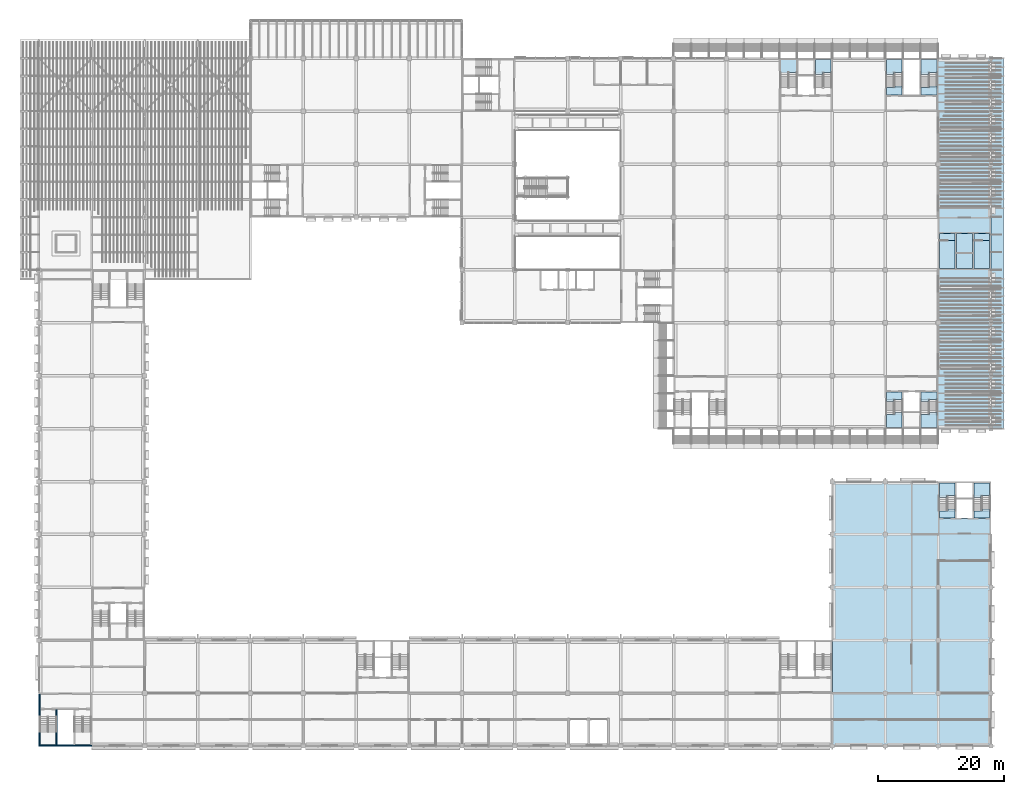
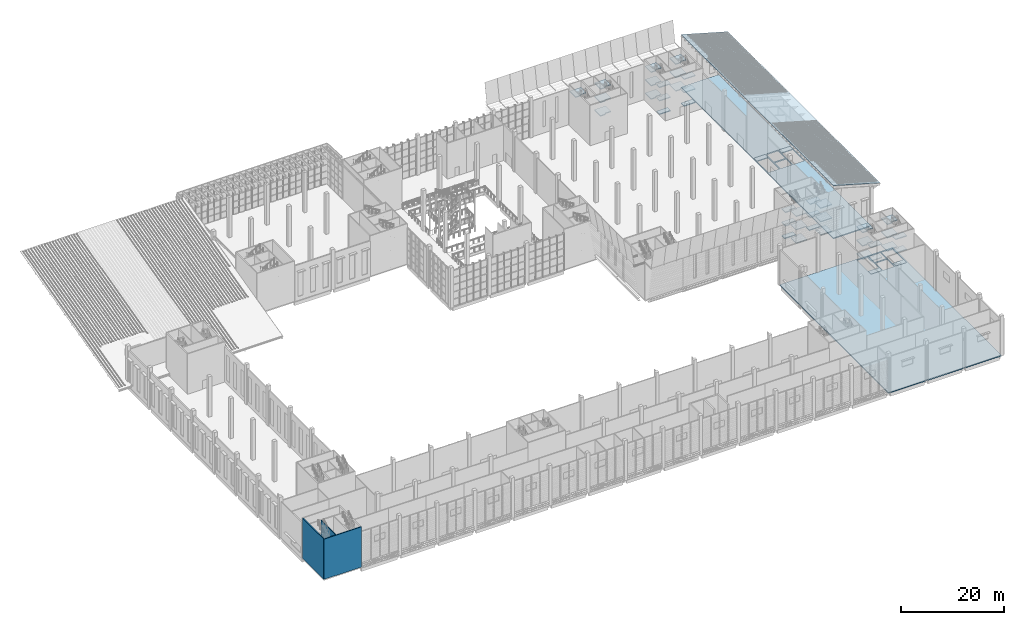
# One storey, part 39 of 114: 45 slabs, 3 walls, 8 elements without a shape of their own.
"""IFC4 building model written with IfcOpenShell, lengths in metres."""

from ifc_helpers import new_model, si_unit, direction, frame, frame_2d, origin, place, context, subcontext, project, spatial, polyline, rectangle, outline, extrude, material, layer, layer_set, type_object, element, aggregate, save


model = new_model("IFC4")

# Units and contexts
model_context = context("Model", 3, precision=1e-05, world=origin(), true_north=direction((0.0, 1.0)))
body_context = subcontext(model_context, "Body", "Model", "MODEL_VIEW")
ifc_project = project(units=[si_unit("LENGTHUNIT", "METRE"), si_unit("AREAUNIT", "SQUARE_METRE"), si_unit("VOLUMEUNIT", "CUBIC_METRE"), si_unit("PLANEANGLEUNIT", "RADIAN"), si_unit("MASSUNIT", "GRAM", prefix="KILO")], contexts=[model_context])

# Site, building, storey
site_placement = place(None, origin())
site = spatial("IfcSite", under=ifc_project, at=site_placement, CompositionType="ELEMENT")
building_placement = place(site_placement, origin())
building = spatial("IfcBuilding", under=site, at=building_placement, Name="Almond Square Museum", CompositionType="ELEMENT")
storey_placement = place(building_placement, frame((0.0, 0.0, 10.5)))
storey = spatial("IfcBuildingStorey", under=building, at=storey_placement, Name="L02", CompositionType="ELEMENT", Elevation=10.5)

# Stair, slabs
ifc_material_1 = material(Name="Concrete C40/50", Category="concrete")
stair_type = type_object("IfcStairType", Name="Exit stair 54 risers of 176 mm", PredefinedType="HALF_TURN_STAIR", material=ifc_material_1)
stair_1_placement = place(storey_placement, origin())
stair_1 = element("IfcStair", 1, at=stair_1_placement, inside=storey, type_object=stair_type, Name="L02 stair H2-1", PredefinedType="HALF_TURN_STAIR")
ifc_material_2 = material(Name="Concrete C40/50", Category="concrete")
ifc_layer_1 = layer(ifc_material_2, 0.199951171875)
ifc_layer_set_1 = layer_set([ifc_layer_1], Name="Concrete C40/50")
slab_type_1 = type_object("IfcSlabType", Name="Concrete stair landing 200", PredefinedType="LANDING", material=ifc_layer_set_1)
slab_1_placement = place(storey_placement, frame((0.0, 0.0, 1.38330078125)))
slab_1 = element("IfcSlab", 2, at=slab_1_placement, type_object=slab_type_1, Name="ST-03 landing 1", PredefinedType="LANDING", context=body_context, shape_type="SweptSolid", body=[
    extrude(outline(polyline([(140.60009765625, 52.653076171875), (140.60009765625, 50.60009765625), (143.10009765625, 50.60009765625), (143.10009765625, 52.949951171875), (141.949951171875, 52.949951171875), (141.949951171875, 52.653076171875), (140.60009765625, 52.653076171875)])), origin(), (0.0, 0.0, 1.0), 0.199951171875),
])
slab_2_placement = place(storey_placement, frame((0.0, 0.0, 2.966552734375)))
slab_2 = element("IfcSlab", 3, at=slab_2_placement, type_object=slab_type_1, Name="ST-03 landing 2", PredefinedType="LANDING", context=body_context, shape_type="SweptSolid", body=[
    extrude(outline(polyline([(140.60009765625, 56.199951171875), (140.60009765625, 55.050048828125), (140.60009765625, 54.75), (141.75, 54.75), (141.75, 55.047119140625), (143.10009765625, 55.047119140625), (143.10009765625, 56.199951171875), (140.60009765625, 56.199951171875)])), origin(), (0.0, 0.0, 1.0), 0.2001953125),
])
slab_3_placement = place(storey_placement, frame((0.0, 0.0, 4.550048828125)))
slab_3 = element("IfcSlab", 4, at=slab_3_placement, type_object=slab_type_1, Name="ST-03 landing 3", PredefinedType="LANDING", context=body_context, shape_type="SweptSolid", body=[
    extrude(outline(polyline([(140.60009765625, 52.653076171875), (140.60009765625, 50.60009765625), (143.10009765625, 50.60009765625), (143.10009765625, 52.949951171875), (141.949951171875, 52.949951171875), (141.949951171875, 52.653076171875), (140.60009765625, 52.653076171875)])), origin(), (0.0, 0.0, 1.0), 0.199951171875),
])
slab_4_placement = place(storey_placement, frame((0.0, 0.0, 6.13330078125)))
slab_4 = element("IfcSlab", 5, at=slab_4_placement, type_object=slab_type_1, Name="ST-03 landing 4", PredefinedType="LANDING", context=body_context, shape_type="SweptSolid", body=[
    extrude(outline(polyline([(140.60009765625, 56.199951171875), (140.60009765625, 55.050048828125), (140.60009765625, 54.75), (141.75, 54.75), (141.75, 55.047119140625), (143.10009765625, 55.047119140625), (143.10009765625, 56.199951171875), (140.60009765625, 56.199951171875)])), origin(), (0.0, 0.0, 1.0), 0.199951171875),
])
slab_5_placement = place(storey_placement, frame((0.0, 0.0, 7.716552734375)))
slab_5 = element("IfcSlab", 6, at=slab_5_placement, type_object=slab_type_1, Name="ST-03 landing 5", PredefinedType="LANDING", context=body_context, shape_type="SweptSolid", body=[
    extrude(outline(polyline([(140.60009765625, 52.653076171875), (140.60009765625, 50.60009765625), (143.10009765625, 50.60009765625), (143.10009765625, 52.949951171875), (141.949951171875, 52.949951171875), (141.949951171875, 52.653076171875), (140.60009765625, 52.653076171875)])), origin(), (0.0, 0.0, 1.0), 0.2001953125),
])
aggregate(stair_1, [slab_1, slab_2, slab_3, slab_4, slab_5])

stair_2_placement = place(storey_placement, origin())
stair_2 = element("IfcStair", 7, at=stair_2_placement, inside=storey, type_object=stair_type, Name="L02 stair H2-2", PredefinedType="HALF_TURN_STAIR")
slab_6_placement = place(storey_placement, frame((0.0, 0.0, 1.38330078125)))
slab_6 = element("IfcSlab", 8, at=slab_6_placement, type_object=slab_type_1, Name="ST-04 landing 1", PredefinedType="LANDING", context=body_context, shape_type="SweptSolid", body=[
    extrude(outline(polyline([(146.10009765625, 52.653076171875), (146.10009765625, 50.60009765625), (148.60009765625, 50.60009765625), (148.60009765625, 52.949951171875), (147.449951171875, 52.949951171875), (147.449951171875, 52.653076171875), (146.10009765625, 52.653076171875)])), origin(), (0.0, 0.0, 1.0), 0.199951171875),
])
slab_7_placement = place(storey_placement, frame((0.0, 0.0, 2.966552734375)))
slab_7 = element("IfcSlab", 9, at=slab_7_placement, type_object=slab_type_1, Name="ST-04 landing 2", PredefinedType="LANDING", context=body_context, shape_type="SweptSolid", body=[
    extrude(outline(polyline([(146.10009765625, 56.199951171875), (146.10009765625, 55.050048828125), (146.10009765625, 54.75), (147.25, 54.75), (147.25, 55.047119140625), (148.60009765625, 55.047119140625), (148.60009765625, 56.199951171875), (146.10009765625, 56.199951171875)])), origin(), (0.0, 0.0, 1.0), 0.2001953125),
])
slab_8_placement = place(storey_placement, frame((0.0, 0.0, 4.550048828125)))
slab_8 = element("IfcSlab", 10, at=slab_8_placement, type_object=slab_type_1, Name="ST-04 landing 3", PredefinedType="LANDING", context=body_context, shape_type="SweptSolid", body=[
    extrude(outline(polyline([(146.10009765625, 52.653076171875), (146.10009765625, 50.60009765625), (148.60009765625, 50.60009765625), (148.60009765625, 52.949951171875), (147.449951171875, 52.949951171875), (147.449951171875, 52.653076171875), (146.10009765625, 52.653076171875)])), origin(), (0.0, 0.0, 1.0), 0.199951171875),
])
slab_9_placement = place(storey_placement, frame((0.0, 0.0, 6.13330078125)))
slab_9 = element("IfcSlab", 11, at=slab_9_placement, type_object=slab_type_1, Name="ST-04 landing 4", PredefinedType="LANDING", context=body_context, shape_type="SweptSolid", body=[
    extrude(outline(polyline([(146.10009765625, 56.199951171875), (146.10009765625, 55.050048828125), (146.10009765625, 54.75), (147.25, 54.75), (147.25, 55.047119140625), (148.60009765625, 55.047119140625), (148.60009765625, 56.199951171875), (146.10009765625, 56.199951171875)])), origin(), (0.0, 0.0, 1.0), 0.199951171875),
])
slab_10_placement = place(storey_placement, frame((0.0, 0.0, 7.716552734375)))
slab_10 = element("IfcSlab", 12, at=slab_10_placement, type_object=slab_type_1, Name="ST-04 landing 5", PredefinedType="LANDING", context=body_context, shape_type="SweptSolid", body=[
    extrude(outline(polyline([(146.10009765625, 52.653076171875), (146.10009765625, 50.60009765625), (148.60009765625, 50.60009765625), (148.60009765625, 52.949951171875), (147.449951171875, 52.949951171875), (147.449951171875, 52.653076171875), (146.10009765625, 52.653076171875)])), origin(), (0.0, 0.0, 1.0), 0.2001953125),
])
aggregate(stair_2, [slab_6, slab_7, slab_8, slab_9, slab_10])

stair_3_placement = place(storey_placement, origin())
stair_3 = element("IfcStair", 13, at=stair_3_placement, inside=storey, type_object=stair_type, Name="L02 stair H3-1", PredefinedType="HALF_TURN_STAIR")
slab_11_placement = place(storey_placement, frame((0.0, 0.0, 1.38330078125)))
slab_11 = element("IfcSlab", 14, at=slab_11_placement, type_object=slab_type_1, Name="ST-05 landing 1", PredefinedType="LANDING", context=body_context, shape_type="SweptSolid", body=[
    extrude(outline(polyline([(143.10009765625, 106.947021484375), (143.10009765625, 109.0), (140.60009765625, 109.0), (140.60009765625, 106.64990234375), (141.75, 106.64990234375), (141.75, 106.947021484375), (143.10009765625, 106.947021484375)])), origin(), (0.0, 0.0, 1.0), 0.199951171875),
])
slab_12_placement = place(storey_placement, frame((0.0, 0.0, 2.966552734375)))
slab_12 = element("IfcSlab", 15, at=slab_12_placement, type_object=slab_type_1, Name="ST-05 landing 2", PredefinedType="LANDING", context=body_context, shape_type="SweptSolid", body=[
    extrude(outline(polyline([(143.10009765625, 103.39990234375), (143.10009765625, 104.550048828125), (143.10009765625, 104.85009765625), (141.949951171875, 104.85009765625), (141.949951171875, 104.552978515625), (140.60009765625, 104.552978515625), (140.60009765625, 103.39990234375), (143.10009765625, 103.39990234375)])), origin(), (0.0, 0.0, 1.0), 0.2001953125),
])
slab_13_placement = place(storey_placement, frame((0.0, 0.0, 4.550048828125)))
slab_13 = element("IfcSlab", 16, at=slab_13_placement, type_object=slab_type_1, Name="ST-05 landing 3", PredefinedType="LANDING", context=body_context, shape_type="SweptSolid", body=[
    extrude(outline(polyline([(143.10009765625, 106.947021484375), (143.10009765625, 109.0), (140.60009765625, 109.0), (140.60009765625, 106.64990234375), (141.75, 106.64990234375), (141.75, 106.947021484375), (143.10009765625, 106.947021484375)])), origin(), (0.0, 0.0, 1.0), 0.199951171875),
])
slab_14_placement = place(storey_placement, frame((0.0, 0.0, 6.13330078125)))
slab_14 = element("IfcSlab", 17, at=slab_14_placement, type_object=slab_type_1, Name="ST-05 landing 4", PredefinedType="LANDING", context=body_context, shape_type="SweptSolid", body=[
    extrude(outline(polyline([(143.10009765625, 103.39990234375), (143.10009765625, 104.550048828125), (143.10009765625, 104.85009765625), (141.949951171875, 104.85009765625), (141.949951171875, 104.552978515625), (140.60009765625, 104.552978515625), (140.60009765625, 103.39990234375), (143.10009765625, 103.39990234375)])), origin(), (0.0, 0.0, 1.0), 0.199951171875),
])
slab_15_placement = place(storey_placement, frame((0.0, 0.0, 7.716552734375)))
slab_15 = element("IfcSlab", 18, at=slab_15_placement, type_object=slab_type_1, Name="ST-05 landing 5", PredefinedType="LANDING", context=body_context, shape_type="SweptSolid", body=[
    extrude(outline(polyline([(143.10009765625, 106.947021484375), (143.10009765625, 109.0), (140.60009765625, 109.0), (140.60009765625, 106.64990234375), (141.75, 106.64990234375), (141.75, 106.947021484375), (143.10009765625, 106.947021484375)])), origin(), (0.0, 0.0, 1.0), 0.2001953125),
])
aggregate(stair_3, [slab_11, slab_12, slab_13, slab_14, slab_15])

stair_4_placement = place(storey_placement, origin())
stair_4 = element("IfcStair", 19, at=stair_4_placement, inside=storey, type_object=stair_type, Name="L02 stair H3-2", PredefinedType="HALF_TURN_STAIR")
slab_16_placement = place(storey_placement, frame((0.0, 0.0, 1.38330078125)))
slab_16 = element("IfcSlab", 20, at=slab_16_placement, type_object=slab_type_1, Name="ST-06 landing 1", PredefinedType="LANDING", context=body_context, shape_type="SweptSolid", body=[
    extrude(outline(polyline([(148.60009765625, 106.947021484375), (148.60009765625, 109.0), (146.10009765625, 109.0), (146.10009765625, 106.64990234375), (147.25, 106.64990234375), (147.25, 106.947021484375), (148.60009765625, 106.947021484375)])), origin(), (0.0, 0.0, 1.0), 0.199951171875),
])
slab_17_placement = place(storey_placement, frame((0.0, 0.0, 2.966552734375)))
slab_17 = element("IfcSlab", 21, at=slab_17_placement, type_object=slab_type_1, Name="ST-06 landing 2", PredefinedType="LANDING", context=body_context, shape_type="SweptSolid", body=[
    extrude(outline(polyline([(148.60009765625, 103.39990234375), (148.60009765625, 104.550048828125), (148.60009765625, 104.85009765625), (147.449951171875, 104.85009765625), (147.449951171875, 104.552978515625), (146.10009765625, 104.552978515625), (146.10009765625, 103.39990234375), (148.60009765625, 103.39990234375)])), origin(), (0.0, 0.0, 1.0), 0.2001953125),
])
slab_18_placement = place(storey_placement, frame((0.0, 0.0, 4.550048828125)))
slab_18 = element("IfcSlab", 22, at=slab_18_placement, type_object=slab_type_1, Name="ST-06 landing 3", PredefinedType="LANDING", context=body_context, shape_type="SweptSolid", body=[
    extrude(outline(polyline([(148.60009765625, 106.947021484375), (148.60009765625, 109.0), (146.10009765625, 109.0), (146.10009765625, 106.64990234375), (147.25, 106.64990234375), (147.25, 106.947021484375), (148.60009765625, 106.947021484375)])), origin(), (0.0, 0.0, 1.0), 0.199951171875),
])
slab_19_placement = place(storey_placement, frame((0.0, 0.0, 6.13330078125)))
slab_19 = element("IfcSlab", 23, at=slab_19_placement, type_object=slab_type_1, Name="ST-06 landing 4", PredefinedType="LANDING", context=body_context, shape_type="SweptSolid", body=[
    extrude(outline(polyline([(148.60009765625, 103.39990234375), (148.60009765625, 104.550048828125), (148.60009765625, 104.85009765625), (147.449951171875, 104.85009765625), (147.449951171875, 104.552978515625), (146.10009765625, 104.552978515625), (146.10009765625, 103.39990234375), (148.60009765625, 103.39990234375)])), origin(), (0.0, 0.0, 1.0), 0.199951171875),
])
slab_20_placement = place(storey_placement, frame((0.0, 0.0, 7.716552734375)))
slab_20 = element("IfcSlab", 24, at=slab_20_placement, type_object=slab_type_1, Name="ST-06 landing 5", PredefinedType="LANDING", context=body_context, shape_type="SweptSolid", body=[
    extrude(outline(polyline([(148.60009765625, 106.947021484375), (148.60009765625, 109.0), (146.10009765625, 109.0), (146.10009765625, 106.64990234375), (147.25, 106.64990234375), (147.25, 106.947021484375), (148.60009765625, 106.947021484375)])), origin(), (0.0, 0.0, 1.0), 0.2001953125),
])
aggregate(stair_4, [slab_16, slab_17, slab_18, slab_19, slab_20])

# Stair, slab
stair_5_placement = place(storey_placement, origin())
stair_5 = element("IfcStair", 25, at=stair_5_placement, inside=storey, type_object=stair_type, Name="L02 stair H4-1", PredefinedType="HALF_TURN_STAIR")
slab_21_placement = place(storey_placement, frame((0.0, 0.0, 7.716552734375)))
slab_21 = element("IfcSlab", 26, at=slab_21_placement, type_object=slab_type_1, Name="ST-07 landing 5", PredefinedType="LANDING", context=body_context, shape_type="SweptSolid", body=[
    extrude(outline(polyline([(126.300048828125, 106.947021484375), (126.300048828125, 109.0), (123.800048828125, 109.0), (123.800048828125, 106.64990234375), (124.949951171875, 106.64990234375), (124.949951171875, 106.947021484375), (126.300048828125, 106.947021484375)])), origin(), (0.0, 0.0, 1.0), 0.2001953125),
])
aggregate(stair_5, [slab_21])

# Stair, slabs
stair_6_placement = place(storey_placement, origin())
stair_6 = element("IfcStair", 27, at=stair_6_placement, inside=storey, type_object=stair_type, Name="L02 stair H4-2", PredefinedType="HALF_TURN_STAIR")
slab_22_placement = place(storey_placement, frame((0.0, 0.0, 1.38330078125)))
slab_22 = element("IfcSlab", 28, at=slab_22_placement, type_object=slab_type_1, Name="ST-08 landing 1", PredefinedType="LANDING", context=body_context, shape_type="SweptSolid", body=[
    extrude(outline(polyline([(131.800048828125, 106.947021484375), (131.800048828125, 109.0), (129.300048828125, 109.0), (129.300048828125, 106.64990234375), (130.449951171875, 106.64990234375), (130.449951171875, 106.947021484375), (131.800048828125, 106.947021484375)])), origin(), (0.0, 0.0, 1.0), 0.199951171875),
])
slab_23_placement = place(storey_placement, frame((0.0, 0.0, 4.550048828125)))
slab_23 = element("IfcSlab", 29, at=slab_23_placement, type_object=slab_type_1, Name="ST-08 landing 3", PredefinedType="LANDING", context=body_context, shape_type="SweptSolid", body=[
    extrude(outline(polyline([(131.800048828125, 106.947021484375), (131.800048828125, 109.0), (129.300048828125, 109.0), (129.300048828125, 106.64990234375), (130.449951171875, 106.64990234375), (130.449951171875, 106.947021484375), (131.800048828125, 106.947021484375)])), origin(), (0.0, 0.0, 1.0), 0.199951171875),
])
slab_24_placement = place(storey_placement, frame((0.0, 0.0, 7.716552734375)))
slab_24 = element("IfcSlab", 30, at=slab_24_placement, type_object=slab_type_1, Name="ST-08 landing 5", PredefinedType="LANDING", context=body_context, shape_type="SweptSolid", body=[
    extrude(outline(polyline([(131.800048828125, 106.947021484375), (131.800048828125, 109.0), (129.300048828125, 109.0), (129.300048828125, 106.64990234375), (130.449951171875, 106.64990234375), (130.449951171875, 106.947021484375), (131.800048828125, 106.947021484375)])), origin(), (0.0, 0.0, 1.0), 0.2001953125),
])
aggregate(stair_6, [slab_22, slab_23, slab_24])

stair_7_placement = place(storey_placement, origin())
stair_7 = element("IfcStair", 31, at=stair_7_placement, inside=storey, type_object=stair_type, Name="L02 stair X1-1", PredefinedType="HALF_TURN_STAIR")
slab_25_placement = place(storey_placement, frame((0.0, 0.0, 1.38330078125)))
slab_25 = element("IfcSlab", 32, at=slab_25_placement, type_object=slab_type_1, Name="ST-33 landing 1", PredefinedType="LANDING", context=body_context, shape_type="SweptSolid", body=[
    extrude(outline(polyline([(151.5, 39.7470703125), (151.5, 41.800048828125), (149.0, 41.800048828125), (149.0, 39.449951171875), (150.14990234375, 39.449951171875), (150.14990234375, 39.7470703125), (151.5, 39.7470703125)])), origin(), (0.0, 0.0, 1.0), 0.199951171875),
])
slab_26_placement = place(storey_placement, frame((0.0, 0.0, 2.966552734375)))
slab_26 = element("IfcSlab", 33, at=slab_26_placement, type_object=slab_type_1, Name="ST-33 landing 2", PredefinedType="LANDING", context=body_context, shape_type="SweptSolid", body=[
    extrude(outline(polyline([(151.5, 36.199951171875), (151.5, 37.35009765625), (151.5, 37.64990234375), (150.35009765625, 37.64990234375), (150.35009765625, 37.35302734375), (149.0, 37.35302734375), (149.0, 36.199951171875), (151.5, 36.199951171875)])), origin(), (0.0, 0.0, 1.0), 0.2001953125),
])
slab_27_placement = place(storey_placement, frame((0.0, 0.0, 4.550048828125)))
slab_27 = element("IfcSlab", 34, at=slab_27_placement, type_object=slab_type_1, Name="ST-33 landing 3", PredefinedType="LANDING", context=body_context, shape_type="SweptSolid", body=[
    extrude(outline(polyline([(151.5, 39.7470703125), (151.5, 41.800048828125), (149.0, 41.800048828125), (149.0, 39.449951171875), (150.14990234375, 39.449951171875), (150.14990234375, 39.7470703125), (151.5, 39.7470703125)])), origin(), (0.0, 0.0, 1.0), 0.199951171875),
])
slab_28_placement = place(storey_placement, frame((0.0, 0.0, 6.13330078125)))
slab_28 = element("IfcSlab", 35, at=slab_28_placement, type_object=slab_type_1, Name="ST-33 landing 4", PredefinedType="LANDING", context=body_context, shape_type="SweptSolid", body=[
    extrude(outline(polyline([(151.5, 36.199951171875), (151.5, 37.35009765625), (151.5, 37.64990234375), (150.35009765625, 37.64990234375), (150.35009765625, 37.35302734375), (149.0, 37.35302734375), (149.0, 36.199951171875), (151.5, 36.199951171875)])), origin(), (0.0, 0.0, 1.0), 0.199951171875),
])
slab_29_placement = place(storey_placement, frame((0.0, 0.0, 7.716552734375)))
slab_29 = element("IfcSlab", 36, at=slab_29_placement, type_object=slab_type_1, Name="ST-33 landing 5", PredefinedType="LANDING", context=body_context, shape_type="SweptSolid", body=[
    extrude(outline(polyline([(151.5, 39.7470703125), (151.5, 41.800048828125), (149.0, 41.800048828125), (149.0, 39.449951171875), (150.14990234375, 39.449951171875), (150.14990234375, 39.7470703125), (151.5, 39.7470703125)])), origin(), (0.0, 0.0, 1.0), 0.2001953125),
])
aggregate(stair_7, [slab_25, slab_26, slab_27, slab_28, slab_29])

stair_8_placement = place(storey_placement, origin())
stair_8 = element("IfcStair", 37, at=stair_8_placement, inside=storey, type_object=stair_type, Name="L02 stair X1-2", PredefinedType="HALF_TURN_STAIR")
slab_30_placement = place(storey_placement, frame((0.0, 0.0, 1.38330078125)))
slab_30 = element("IfcSlab", 38, at=slab_30_placement, type_object=slab_type_1, Name="ST-34 landing 1", PredefinedType="LANDING", context=body_context, shape_type="SweptSolid", body=[
    extrude(outline(polyline([(157.0, 39.7470703125), (157.0, 41.800048828125), (154.5, 41.800048828125), (154.5, 39.449951171875), (155.64990234375, 39.449951171875), (155.64990234375, 39.7470703125), (157.0, 39.7470703125)])), origin(), (0.0, 0.0, 1.0), 0.199951171875),
])
slab_31_placement = place(storey_placement, frame((0.0, 0.0, 2.966552734375)))
slab_31 = element("IfcSlab", 39, at=slab_31_placement, type_object=slab_type_1, Name="ST-34 landing 2", PredefinedType="LANDING", context=body_context, shape_type="SweptSolid", body=[
    extrude(outline(polyline([(157.0, 36.199951171875), (157.0, 37.35009765625), (157.0, 37.64990234375), (155.85009765625, 37.64990234375), (155.85009765625, 37.35302734375), (154.5, 37.35302734375), (154.5, 36.199951171875), (157.0, 36.199951171875)])), origin(), (0.0, 0.0, 1.0), 0.2001953125),
])
slab_32_placement = place(storey_placement, frame((0.0, 0.0, 4.550048828125)))
slab_32 = element("IfcSlab", 40, at=slab_32_placement, type_object=slab_type_1, Name="ST-34 landing 3", PredefinedType="LANDING", context=body_context, shape_type="SweptSolid", body=[
    extrude(outline(polyline([(157.0, 39.7470703125), (157.0, 41.800048828125), (154.5, 41.800048828125), (154.5, 39.449951171875), (155.64990234375, 39.449951171875), (155.64990234375, 39.7470703125), (157.0, 39.7470703125)])), origin(), (0.0, 0.0, 1.0), 0.199951171875),
])
slab_33_placement = place(storey_placement, frame((0.0, 0.0, 6.13330078125)))
slab_33 = element("IfcSlab", 41, at=slab_33_placement, type_object=slab_type_1, Name="ST-34 landing 4", PredefinedType="LANDING", context=body_context, shape_type="SweptSolid", body=[
    extrude(outline(polyline([(157.0, 36.199951171875), (157.0, 37.35009765625), (157.0, 37.64990234375), (155.85009765625, 37.64990234375), (155.85009765625, 37.35302734375), (154.5, 37.35302734375), (154.5, 36.199951171875), (157.0, 36.199951171875)])), origin(), (0.0, 0.0, 1.0), 0.199951171875),
])
slab_34_placement = place(storey_placement, frame((0.0, 0.0, 7.716552734375)))
slab_34 = element("IfcSlab", 42, at=slab_34_placement, type_object=slab_type_1, Name="ST-34 landing 5", PredefinedType="LANDING", context=body_context, shape_type="SweptSolid", body=[
    extrude(outline(polyline([(157.0, 39.7470703125), (157.0, 41.800048828125), (154.5, 41.800048828125), (154.5, 39.449951171875), (155.64990234375, 39.449951171875), (155.64990234375, 39.7470703125), (157.0, 39.7470703125)])), origin(), (0.0, 0.0, 1.0), 0.2001953125),
])
aggregate(stair_8, [slab_30, slab_31, slab_32, slab_33, slab_34])

# Slabs
slab_35_placement = place(storey_placement, frame((0.0, 0.0, -0.199951171875)))
element("IfcSlab", 43, at=slab_35_placement, inside=storey, type_object=slab_type_1, Name="L02 stair H2-1 floor landing", PredefinedType="LANDING", context=body_context, shape_type="SweptSolid", body=[
    extrude(outline(polyline([(140.60009765625, 55.047119140625), (143.10009765625, 55.047119140625), (143.10009765625, 56.199951171875), (140.60009765625, 56.199951171875), (140.60009765625, 55.047119140625)])), origin(), (0.0, 0.0, 1.0), 0.199951171875),
])
slab_36_placement = place(storey_placement, frame((0.0, 0.0, -0.199951171875)))
element("IfcSlab", 44, at=slab_36_placement, inside=storey, type_object=slab_type_1, Name="L02 stair H2-2 floor landing", PredefinedType="LANDING", context=body_context, shape_type="SweptSolid", body=[
    extrude(outline(polyline([(146.10009765625, 55.047119140625), (148.60009765625, 55.047119140625), (148.60009765625, 56.199951171875), (146.10009765625, 56.199951171875), (146.10009765625, 55.047119140625)])), origin(), (0.0, 0.0, 1.0), 0.199951171875),
])
slab_37_placement = place(storey_placement, frame((0.0, 0.0, -0.199951171875)))
element("IfcSlab", 45, at=slab_37_placement, inside=storey, type_object=slab_type_1, Name="L02 stair H3-1 floor landing", PredefinedType="LANDING", context=body_context, shape_type="SweptSolid", body=[
    extrude(outline(polyline([(140.60009765625, 103.39990234375), (143.10009765625, 103.39990234375), (143.10009765625, 104.552978515625), (140.60009765625, 104.552978515625), (140.60009765625, 103.39990234375)])), origin(), (0.0, 0.0, 1.0), 0.199951171875),
])
slab_38_placement = place(storey_placement, frame((0.0, 0.0, -0.199951171875)))
element("IfcSlab", 46, at=slab_38_placement, inside=storey, type_object=slab_type_1, Name="L02 stair H3-2 floor landing", PredefinedType="LANDING", context=body_context, shape_type="SweptSolid", body=[
    extrude(outline(polyline([(146.10009765625, 103.39990234375), (148.60009765625, 103.39990234375), (148.60009765625, 104.552978515625), (146.10009765625, 104.552978515625), (146.10009765625, 103.39990234375)])), origin(), (0.0, 0.0, 1.0), 0.199951171875),
])
slab_39_placement = place(storey_placement, frame((0.0, 0.0, -0.199951171875)))
element("IfcSlab", 47, at=slab_39_placement, inside=storey, type_object=slab_type_1, Name="L02 stair E1-1 floor landing", PredefinedType="LANDING", context=body_context, shape_type="SweptSolid", body=[
    extrude(outline(polyline([(149.0, 80.2470703125), (151.5, 80.2470703125), (151.5, 81.39990234375), (149.0, 81.39990234375), (149.0, 80.2470703125)])), origin(), (0.0, 0.0, 1.0), 0.199951171875),
])
slab_40_placement = place(storey_placement, frame((0.0, 0.0, -0.199951171875)))
element("IfcSlab", 48, at=slab_40_placement, inside=storey, type_object=slab_type_1, Name="L02 stair E1-2 floor landing", PredefinedType="LANDING", context=body_context, shape_type="SweptSolid", body=[
    extrude(outline(polyline([(154.5, 80.2470703125), (157.0, 80.2470703125), (157.0, 81.39990234375), (154.5, 81.39990234375), (154.5, 80.2470703125)])), origin(), (0.0, 0.0, 1.0), 0.199951171875),
])
slab_41_placement = place(storey_placement, frame((0.0, 0.0, -0.199951171875)))
element("IfcSlab", 49, at=slab_41_placement, inside=storey, type_object=slab_type_1, Name="L02 stair X1-1 floor landing", PredefinedType="LANDING", context=body_context, shape_type="SweptSolid", body=[
    extrude(outline(polyline([(149.0, 36.199951171875), (151.5, 36.199951171875), (151.5, 37.35302734375), (149.0, 37.35302734375), (149.0, 36.199951171875)])), origin(), (0.0, 0.0, 1.0), 0.199951171875),
])
slab_42_placement = place(storey_placement, frame((0.0, 0.0, -0.199951171875)))
element("IfcSlab", 50, at=slab_42_placement, inside=storey, type_object=slab_type_1, Name="L02 stair X1-2 floor landing", PredefinedType="LANDING", context=body_context, shape_type="SweptSolid", body=[
    extrude(outline(polyline([(154.5, 36.199951171875), (157.0, 36.199951171875), (157.0, 37.35302734375), (154.5, 37.35302734375), (154.5, 36.199951171875)])), origin(), (0.0, 0.0, 1.0), 0.199951171875),
])
ifc_material_3 = material(Name="Concrete C40/50", Category="concrete")
ifc_layer_2 = layer(ifc_material_3, 0.25)
ifc_layer_set_2 = layer_set([ifc_layer_2], Name="Concrete C40/50")
slab_type_2 = type_object("IfcSlabType", Name="RC floor slab 250 C40/50", PredefinedType="FLOOR", material=ifc_layer_set_2)
slab_43_placement = place(storey_placement, frame((0.0, 0.0, -0.25)))
element("IfcSlab", 51, at=slab_43_placement, inside=storey, type_object=slab_type_2, Name="Floor slab L02 V4E", PredefinedType="FLOOR", context=body_context, shape_type="SweptSolid", body=[
    extrude(outline(polyline([(148.800048828125, 109.199951171875), (157.199951171875, 109.199951171875), (157.199951171875, 50.39990234375), (148.800048828125, 50.39990234375), (148.800048828125, 109.199951171875)]), holes=[polyline([(151.699951171875, 75.800048828125), (154.300048828125, 75.800048828125), (154.300048828125, 78.199951171875), (151.699951171875, 78.199951171875), (151.699951171875, 75.800048828125)]), polyline([(151.5, 75.800048828125), (151.5, 81.39990234375), (149.0, 81.39990234375), (149.0, 75.800048828125), (151.5, 75.800048828125)]), polyline([(154.5, 75.800048828125), (157.0, 75.800048828125), (157.0, 81.39990234375), (154.5, 81.39990234375), (154.5, 75.800048828125)]), polyline([(151.699951171875, 78.39990234375), (154.300048828125, 78.39990234375), (154.300048828125, 81.39990234375), (151.699951171875, 81.39990234375), (151.699951171875, 78.39990234375)])]), origin(), (0.0, 0.0, 1.0), 0.25),
])
slab_44_placement = place(storey_placement, frame((0.0, 0.0, -0.25)))
element("IfcSlab", 52, at=slab_44_placement, inside=storey, type_object=slab_type_2, Name="Floor slab L02 V5E", PredefinedType="FLOOR", context=body_context, shape_type="SweptSolid", body=[
    extrude(outline(polyline([(132.0, 0.0), (132.0, 16.800048828125), (132.0, 42.0), (157.199951171875, 42.0), (157.199951171875, 0.0), (132.0, 0.0)]), holes=[polyline([(151.699951171875, 36.199951171875), (154.300048828125, 36.199951171875), (154.300048828125, 39.199951171875), (151.699951171875, 39.199951171875), (151.699951171875, 36.199951171875)]), polyline([(149.0, 36.199951171875), (151.5, 36.199951171875), (151.5, 41.800048828125), (149.0, 41.800048828125), (149.0, 36.199951171875)]), polyline([(157.0, 36.199951171875), (157.0, 41.800048828125), (154.5, 41.800048828125), (154.5, 36.199951171875), (157.0, 36.199951171875)]), polyline([(151.699951171875, 39.39990234375), (154.300048828125, 39.39990234375), (154.300048828125, 41.800048828125), (151.699951171875, 41.800048828125), (151.699951171875, 39.39990234375)])]), origin(), (0.0, 0.0, 1.0), 0.25),
])
ifc_material_4 = material(Name="Timber deck and membrane roofing", Category="wood")
ifc_layer_3 = layer(ifc_material_4, 0.10009765625)
ifc_layer_set_3 = layer_set([ifc_layer_3], Name="Timber deck and membrane roofing")
slab_type_3 = type_object("IfcSlabType", Name="Timber deck and membrane roof 100", PredefinedType="ROOF", material=ifc_layer_set_3)
slab_45_placement = place(storey_placement, frame((148.800048828125, 50.39990234375, 12.39990234375), z_axis=(0.274724109107, 0.0, 0.961523095862), x_axis=(0.961523095862, 0.0, -0.274724109107)))
element("IfcSlab", 53, at=slab_45_placement, inside=storey, type_object=slab_type_3, Name="Roof covering RF-V4E", PredefinedType="ROOF", context=body_context, shape_type="SweptSolid", body=[
    extrude(outline(polyline([(0.0, 0.0), (10.8160712816054, 0.0), (10.8160712816054, 58.800048828125), (0.0, 58.800048828125), (0.0, 0.0)])), origin(), (0.0, 0.0, -1.0), 0.10009765625),
])

# Walls
ifc_material_5 = material(Name="Concrete C40/50", Category="concrete")
ifc_layer_4 = layer(ifc_material_5, 0.199951171875)
ifc_layer_set_4 = layer_set([ifc_layer_4], Name="Concrete C40/50")
wall_type = type_object("IfcWallType", Name="RC shear wall 200 C40/50", PredefinedType="SHEAR", material=ifc_layer_set_4)
wall_1_placement = place(storey_placement, frame((6.0, 0.10009765625, 0.0), z_axis=(0.0, 0.0, 1.0), x_axis=(1.0, 0.0, 0.0)))
element("IfcWall", 54, at=wall_1_placement, inside=storey, type_object=wall_type, Name="Core S1 south wall L02", PredefinedType="SHEAR", context=body_context, shape_type="SweptSolid", body=[
    extrude(rectangle(XDim=8.39990234375, YDim=0.199951171875, at=frame_2d((4.199951171875, 0.0))), origin(), (0.0, 0.0, 1.0), 9.5),
])
wall_2_placement = place(storey_placement, frame((6.10009765625, 0.199951171875, 0.0), z_axis=(0.0, 0.0, 1.0), x_axis=(0.0, 1.0, 0.0)))
element("IfcWall", 55, at=wall_2_placement, inside=storey, type_object=wall_type, Name="Core S1 west wall L02", PredefinedType="SHEAR", context=body_context, shape_type="SweptSolid", body=[
    extrude(rectangle(XDim=8.0, YDim=0.199951171875, at=frame_2d((4.0, 0.0))), origin(), (0.0, 0.0, 1.0), 9.5),
])
wall_3_placement = place(storey_placement, frame((8.800048828125, 0.199951171875, 0.0), z_axis=(0.0, 0.0, 1.0), x_axis=(0.0, 1.0, 0.0)))
element("IfcWall", 56, at=wall_3_placement, inside=storey, type_object=wall_type, Name="Core S1 partition wall L02", PredefinedType="SHEAR", context=body_context, shape_type="SweptSolid", body=[
    extrude(rectangle(XDim=5.60009765625, YDim=0.199951171875, at=frame_2d((2.800048828125, 0.0))), origin(), (0.0, 0.0, 1.0), 9.5),
])

save(model, "model.ifc")
